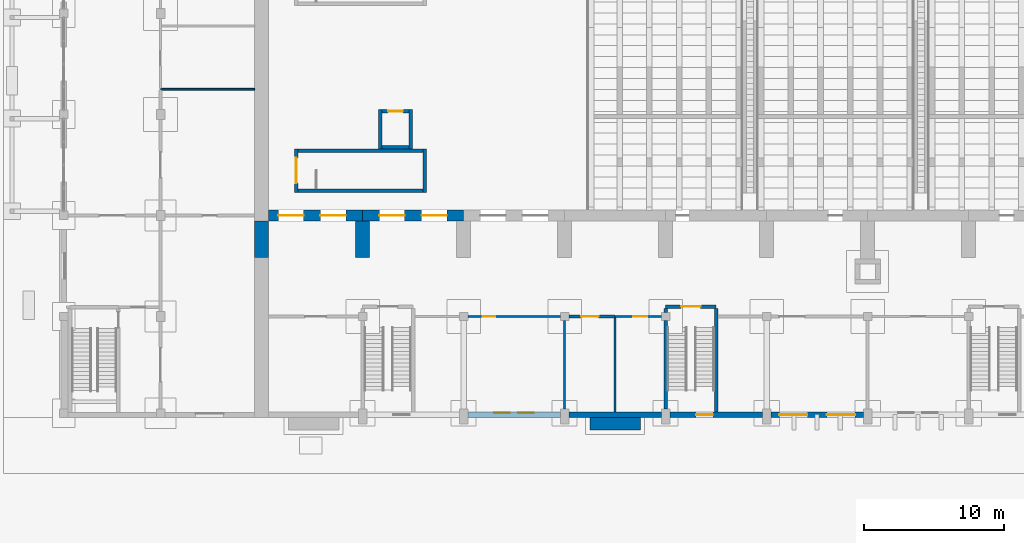
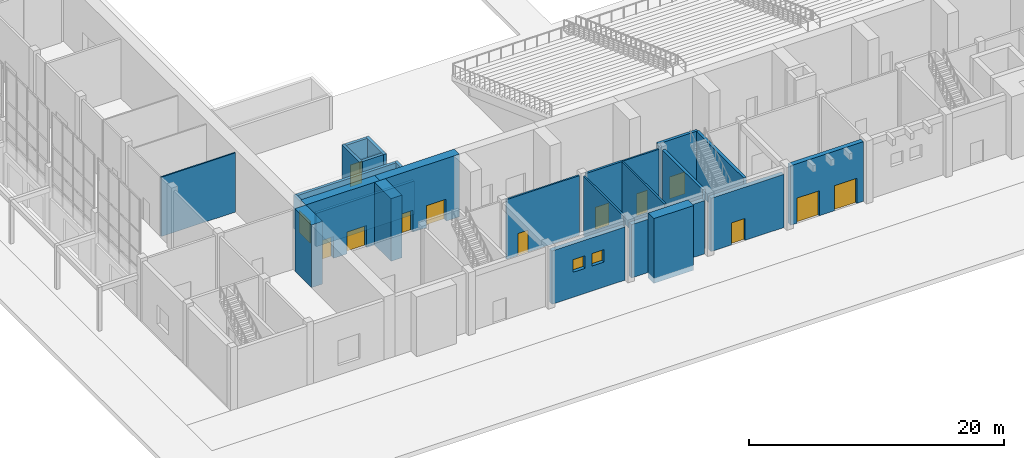
# One storey, part 39 of 70: 27 walls, 13 doors, 2 windows, 15 openings.
"""IFC4 building model written with IfcOpenShell, lengths in metres."""

import ifcopenshell
import ifcopenshell.guid

model = None  # the IFC model being written
_history = None  # IfcOwnerHistory: only IFC2X3 demands one
_inside = {}  # id of a spatial element -> (the spatial element, [elements in it])
_under = {}  # id of a project, library or spatial element -> (it, [spatial elements below it])
_declared = {}  # id of a project -> (the project, [libraries it declares])
_typed = {}  # id of a type object -> (the type object, [elements of that type])
_made_of = {}  # id of a material, layer set ... -> (it, [elements and type objects made of it])


def new_model(schema):
    """Start an empty IFC model of exactly this schema.

    Asked for "IFC4X3", IfcOpenShell would pick the latest addendum, in which some entities
    have other attributes; the version numbers below select the first issue.
    IFC2X3 requires an IfcOwnerHistory on every rooted entity: one is made here for all.
    """
    global model, _history
    if schema == "IFC4X3":
        model = ifcopenshell.file(schema_version=(4, 3, 0, 0))
    else:
        model = ifcopenshell.file(schema=schema)
    _inside.clear()
    _under.clear()
    _declared.clear()
    _typed.clear()
    _made_of.clear()
    _history = None
    if model.schema == "IFC2X3":
        org = make("IfcOrganization", Name="unknown")
        user = make(
            "IfcPersonAndOrganization",
            ThePerson=make("IfcPerson", FamilyName="unknown"),
            TheOrganization=org,
        )
        app = make(
            "IfcApplication",
            ApplicationDeveloper=org,
            Version="unknown",
            ApplicationFullName="unknown",
            ApplicationIdentifier="unknown",
        )
        _history = make(
            "IfcOwnerHistory",
            OwningUser=user,
            OwningApplication=app,
            ChangeAction="ADDED",
            CreationDate=0,
        )
    return model


def make(cls, **values):
    """One entity of the class cls with the attributes given. An attribute that is None is left unset."""
    return model.create_entity(
        cls, **{name: value for name, value in values.items() if value is not None}
    )


def rooted(cls, **values):
    """An entity with a GlobalId (a new one), such as an element, a storey or a relation."""
    return make(cls, GlobalId=ifcopenshell.guid.new(), OwnerHistory=_history, **values)


def si_unit(unit_type, name, prefix=None):
    """IfcSIUnit, for example si_unit("LENGTHUNIT", "METRE", prefix="MILLI")."""
    return make("IfcSIUnit", UnitType=unit_type, Prefix=prefix, Name=name)


def assignment(units):
    """IfcUnitAssignment: the units of a project."""
    return None if units is None else make("IfcUnitAssignment", Units=units)


def point(xyz):
    """IfcCartesianPoint."""
    return None if xyz is None else make("IfcCartesianPoint", Coordinates=xyz)


def direction(xyz):
    """IfcDirection."""
    return None if xyz is None else make("IfcDirection", DirectionRatios=xyz)


def frame(location, z_axis=None, x_axis=None):
    """IfcAxis2Placement3D, a coordinate frame: its origin and axes. An axis left out is left unset."""
    return make(
        "IfcAxis2Placement3D",
        Location=point(location),
        Axis=direction(z_axis),
        RefDirection=direction(x_axis),
    )


def frame_2d(location, x_axis=None):
    """IfcAxis2Placement2D, a coordinate frame in the plane: its origin and x axis."""
    return make(
        "IfcAxis2Placement2D", Location=point(location), RefDirection=direction(x_axis)
    )


def origin():
    """The frame at (0, 0, 0) with its axes left unset."""
    return frame((0.0, 0.0, 0.0))


def place(relative_to, where):
    """IfcLocalPlacement: puts the frame where relative to a parent placement (None: the world)."""
    return make(
        "IfcLocalPlacement", PlacementRelTo=relative_to, RelativePlacement=where
    )


def context(
    kind, dimensions, precision=None, world=None, true_north=None, identifier=None
):
    """IfcGeometricRepresentationContext, for example the 3D "Model" context."""
    return make(
        "IfcGeometricRepresentationContext",
        ContextIdentifier=identifier,
        ContextType=kind,
        CoordinateSpaceDimension=dimensions,
        Precision=precision,
        WorldCoordinateSystem=world,
        TrueNorth=true_north,
    )


def subcontext(parent, identifier, kind, view, scale=None):
    """IfcGeometricRepresentationSubContext, for example "Body" below "Model"."""
    return make(
        "IfcGeometricRepresentationSubContext",
        ContextIdentifier=identifier,
        ContextType=kind,
        ParentContext=parent,
        TargetScale=scale,
        TargetView=view,
    )


def project(units=None, contexts=None):
    """IfcProject with its units and contexts."""
    return rooted(
        "IfcProject",
        Name="project",
        RepresentationContexts=contexts,
        UnitsInContext=assignment(units),
    )


def spatial(cls, under=None, at=None, **own):
    """A site, building, storey or space (cls), placed at a placement, below another one or the project."""
    s = rooted(cls, ObjectPlacement=at, **own)
    if under is not None:
        _under.setdefault(under.id(), (under, []))[1].append(s)
    return s


def profile(cls, at=None, kind="AREA", **sizes):
    """A parametric profile (cls). Its sizes go by their IFC names, for example OverallWidth=200.0."""
    return make(cls, ProfileType=kind, Position=at, **sizes)


def rectangle(**sizes):
    """IfcRectangleProfileDef."""
    return profile("IfcRectangleProfileDef", **sizes)


def extrude(swept, where, along, depth):
    """IfcExtrudedAreaSolid: the profile swept, set in the frame where, extruded along a direction by depth."""
    return make(
        "IfcExtrudedAreaSolid",
        SweptArea=swept,
        Position=where,
        ExtrudedDirection=direction(along),
        Depth=depth,
    )


def shape(context_of_items, identifier, shape_type, items):
    """IfcShapeRepresentation: the items that make up one representation, for example the "Body"."""
    return make(
        "IfcShapeRepresentation",
        ContextOfItems=context_of_items,
        RepresentationIdentifier=identifier,
        RepresentationType=shape_type,
        Items=items,
    )


def material(Name=None, Category=None):
    """IfcMaterial."""
    return make("IfcMaterial", Name=Name, Category=Category)


def layer(
    of_material, thickness, ventilated=None, Name=None, Category=None, Priority=None
):
    """IfcMaterialLayer: one layer of a wall or slab, of a material (None: an air gap)."""
    return make(
        "IfcMaterialLayer",
        Material=of_material,
        LayerThickness=thickness,
        IsVentilated=ventilated,
        Name=Name,
        Category=Category,
        Priority=Priority,
    )


def layer_set(layers, Name=None):
    """IfcMaterialLayerSet."""
    return make("IfcMaterialLayerSet", MaterialLayers=layers, LayerSetName=Name)


def made_of(thing, what):
    """Note that an element or type object is made of a material, layer set ...; save() writes the relation."""
    if what is not None:
        _made_of.setdefault(what.id(), (what, []))[1].append(thing)
    return thing


def type_object(cls, material=None, **own):
    """A type object (cls), such as IfcWallType, which elements share."""
    return made_of(rooted(cls, **own), material)


def element(
    cls,
    number,
    at=None,
    inside=None,
    cuts=None,
    type_object=None,
    material=None,
    context=None,
    identifier="Body",
    shape_type=None,
    held_by="IfcProductDefinitionShape",
    body=None,
    shapes=None,
    **own,
):
    """One element of the class cls, such as IfcWall. Its Tag is "e" and its number.

    at: its placement. inside: the storey or other place that contains it. cuts: it is an
    opening in that element (IfcRelVoidsElement). A single representation is given by context,
    identifier, shape_type and body (its items); several are given by shapes. held_by: the class
    of the entity that holds the representations. save() writes the other relations.
    """
    e = rooted(cls, Tag="e%d" % number, ObjectPlacement=at, **own)
    if body is not None:
        shapes = [shape(context, identifier, shape_type, body)]
    if shapes is not None:
        e.Representation = make(held_by, Representations=shapes)
    if inside is not None:
        _inside.setdefault(inside.id(), (inside, []))[1].append(e)
    if cuts is not None:
        rooted(
            "IfcRelVoidsElement", RelatingBuildingElement=cuts, RelatedOpeningElement=e
        )
    if type_object is not None:
        _typed.setdefault(type_object.id(), (type_object, []))[1].append(e)
    return made_of(e, material)


def fill(opening, filler):
    """IfcRelFillsElement: the door or window that sits in an opening."""
    return rooted(
        "IfcRelFillsElement",
        RelatingOpeningElement=opening,
        RelatedBuildingElement=filler,
    )


def aggregate(whole, parts):
    """IfcRelAggregates: a whole, such as a stair, and the parts it consists of."""
    return rooted("IfcRelAggregates", RelatingObject=whole, RelatedObjects=parts)


def save(model, path):
    """Write the relations noted so far, then the file.

    IfcRelAggregates (storeys below a building ...), IfcRelContainedInSpatialStructure (elements
    in a storey), IfcRelDefinesByType, IfcRelAssociatesMaterial and IfcRelDeclares: one each for
    every whole, place, type object, material and project.
    """
    for whole, parts in _under.values():
        aggregate(whole, parts)
    for where, things in _inside.values():
        rooted(
            "IfcRelContainedInSpatialStructure",
            RelatedElements=things,
            RelatingStructure=where,
        )
    for kind, things in _typed.values():
        rooted("IfcRelDefinesByType", RelatedObjects=things, RelatingType=kind)
    for what, things in _made_of.values():
        rooted("IfcRelAssociatesMaterial", RelatedObjects=things, RelatingMaterial=what)
    for by, libraries in _declared.values():
        rooted("IfcRelDeclares", RelatingContext=by, RelatedDefinitions=libraries)
    model.write(path)


model = new_model("IFC4")

# Units and contexts
model_context = context("Model", 3, precision=1e-05, world=origin(), true_north=direction((0.0, 1.0)))
body_context = subcontext(model_context, "Body", "Model", "MODEL_VIEW")
ifc_project = project(units=[si_unit("LENGTHUNIT", "METRE"), si_unit("AREAUNIT", "SQUARE_METRE"), si_unit("VOLUMEUNIT", "CUBIC_METRE"), si_unit("PLANEANGLEUNIT", "RADIAN"), si_unit("MASSUNIT", "GRAM", prefix="KILO")], contexts=[model_context])

# Site, building, storey
site_placement = place(None, origin())
site = spatial("IfcSite", under=ifc_project, at=site_placement, CompositionType="ELEMENT")
building_placement = place(site_placement, origin())
building = spatial("IfcBuilding", under=site, at=building_placement, Name="Vermilion Court Aquatics Centre", CompositionType="ELEMENT")
storey_placement = place(building_placement, origin())
storey = spatial("IfcBuildingStorey", under=building, at=storey_placement, Name="L00", CompositionType="ELEMENT", Elevation=0.0)

# Walls
ifc_material_1 = material(Name="Gypsum board", Category="gypsum")
ifc_layer_1 = layer(ifc_material_1, 0.1201171875)
ifc_layer_set_1 = layer_set([ifc_layer_1], Name="Foyer light partition 120")
wall_type_1 = type_object("IfcWallType", Name="Foyer light partition 120", PredefinedType="PARTITIONING", material=ifc_layer_set_1)
wall_1_placement = place(storey_placement, frame((7.199951171875, 23.39990234375, 0.0), z_axis=(0.0, 0.0, 1.0), x_axis=(1.0, 0.0, 0.0)))
element("IfcWall", 1, at=wall_1_placement, inside=storey, type_object=wall_type_1, Name="Wall", PredefinedType="PARTITIONING", context=body_context, shape_type="SweptSolid", body=[
    extrude(rectangle(XDim=6.699951171875, YDim=0.1201171875, at=frame_2d((3.35009765625, 0.0))), origin(), (0.0, 0.0, 1.0), 5.675048828125),
])
ifc_material_2 = material(Name="Concrete 5000 psi", Category="concrete")
ifc_layer_2 = layer(ifc_material_2, 0.25)
ifc_layer_set_2 = layer_set([ifc_layer_2], Name="Hall lift shaft wall 250")
wall_type_2 = type_object("IfcWallType", Name="Hall lift shaft wall 250", PredefinedType="SOLIDWALL", material=ifc_layer_set_2)
for number, where, z_axis, x_axis, name in (
    (2, (22.875, 19.14990234375, 0.0), (0.0, 0.0, 1.0), (0.0, 1.0, 0.0), "Plant lift shaft wall"),
    (3, (25.02490234375, 19.14990234375, 0.0), (0.0, 0.0, 1.0), (0.0, 1.0, 0.0), "Plant lift shaft wall"),
):
    element("IfcWall", number, at=place(storey_placement, frame(where, z_axis=z_axis, x_axis=x_axis)), inside=storey, type_object=wall_type_2, Name=name, PredefinedType="SOLIDWALL", context=body_context, shape_type="SweptSolid", body=[
        extrude(rectangle(XDim=2.800048828125, YDim=0.25, at=frame_2d((1.39990234375, 0.0))), origin(), (0.0, 0.0, 1.0), 4.199951171875),
    ])
wall_2_placement = place(storey_placement, frame((23.0, 19.27490234375, 0.0), z_axis=(0.0, 0.0, 1.0), x_axis=(1.0, 0.0, 0.0)))
element("IfcWall", 4, at=wall_2_placement, inside=storey, type_object=wall_type_2, Name="Plant lift shaft wall", PredefinedType="SOLIDWALL", context=body_context, shape_type="SweptSolid", body=[
    extrude(rectangle(XDim=1.89990234375, YDim=0.25, at=frame_2d((0.949951171875, 0.0))), origin(), (0.0, 0.0, 1.0), 4.199951171875),
])

# Wall, opening, door
wall_3_placement = place(storey_placement, frame((23.0, 21.824951171875, 0.0), z_axis=(0.0, 0.0, 1.0), x_axis=(1.0, 0.0, 0.0)))
wall_3 = element("IfcWall", 5, at=wall_3_placement, inside=storey, type_object=wall_type_2, Name="Plant lift shaft wall", PredefinedType="SOLIDWALL", context=body_context, shape_type="SweptSolid", body=[
    extrude(rectangle(XDim=1.89990234375, YDim=0.25, at=frame_2d((0.949951171875, 0.0))), origin(), (0.0, 0.0, 1.0), 4.199951171875),
])
opening_1_placement = place(wall_3_placement, frame((0.425048828125, 0.0, 0.0)))
opening_1 = element("IfcOpeningElement", 6, at=opening_1_placement, cuts=wall_3, Name="Opening LDPL1-00", PredefinedType="OPENING", context=body_context, shape_type="SweptSolid", body=[
    extrude(rectangle(XDim=1.050048828125, YDim=2.10009765625, at=frame_2d((0.52490234375, 1.050048828125))), frame((0.0, 0.135009765625, 0.0), z_axis=(0.0, -1.0, 0.0), x_axis=(1.0, 0.0, 0.0)), (0.0, 0.0, 1.0), 0.27001953125),
])
ifc_material_3 = material(Name="Hollow metal")
door_type_1 = type_object("IfcDoorType", Name="Hall lift landing door 1050x2100", OperationType="DOUBLE_DOOR_SLIDING", PredefinedType="DOOR", material=ifc_material_3)
door_1_placement = place(opening_1_placement, origin())
door_1 = element("IfcDoor", 7, at=door_1_placement, inside=storey, type_object=door_type_1, Name="Lift landing door PL1 L00", OperationType="DOUBLE_DOOR_SLIDING", OverallHeight=2.10009765625, OverallWidth=1.050048828125, PredefinedType="DOOR", context=body_context, shape_type="SweptSolid", body=[
    extrude(rectangle(XDim=1.050048828125, YDim=2.10009765625, at=frame_2d((0.52490234375, 1.050048828125))), frame((0.0, 0.02490234375, 0.0), z_axis=(0.0, -1.0, 0.0), x_axis=(1.0, 0.0, 0.0)), (0.0, 0.0, 1.0), 0.050048828125),
])
fill(opening_1, door_1)

ifc_material_4 = material(Name="Concrete 5000 psi", Category="concrete")
ifc_layer_3 = layer(ifc_material_4, 0.25)
ifc_layer_set_3 = layer_set([ifc_layer_3], Name="Hall stair enclosure wall 250")
wall_type_3 = type_object("IfcWallType", Name="Hall stair enclosure wall 250", PredefinedType="SOLIDWALL", material=ifc_layer_set_3)
wall_4_placement = place(storey_placement, frame((16.875, 16.050048828125, 0.0), z_axis=(0.0, 0.0, 1.0), x_axis=(0.0, 1.0, 0.0)))
wall_4 = element("IfcWall", 8, at=wall_4_placement, inside=storey, type_object=wall_type_3, Name="Stair lobby 1 wall", PredefinedType="SOLIDWALL", context=body_context, shape_type="SweptSolid", body=[
    extrude(rectangle(XDim=3.099853515625, YDim=0.25, at=frame_2d((1.5498046875, 0.0))), origin(), (0.0, 0.0, 1.0), 3.199951171875),
])
opening_2_placement = place(wall_4_placement, frame((0.64990234375, 0.0, 0.0)))
opening_2 = element("IfcOpeningElement", 9, at=opening_2_placement, cuts=wall_4, Name="Opening H00-004", PredefinedType="OPENING", context=body_context, shape_type="SweptSolid", body=[
    extrude(rectangle(XDim=1.800048828125, YDim=2.10009765625, at=frame_2d((0.89990234375, 1.050048828125))), frame((0.0, 0.135009765625, 0.0), z_axis=(0.0, -1.0, 0.0), x_axis=(1.0, 0.0, 0.0)), (0.0, 0.0, 1.0), 0.27001953125),
])
ifc_material_5 = material(Name="Hollow metal")
door_type_2 = type_object("IfcDoorType", Name="Hall double door 1800x2100", OperationType="DOUBLE_DOOR_SINGLE_SWING", PredefinedType="DOOR", material=ifc_material_5)
door_2_placement = place(opening_2_placement, frame((1.800048828125, 0.0, 0.0), z_axis=(0.0, 0.0, 1.0), x_axis=(-1.0, 0.0, 0.0)))
door_2 = element("IfcDoor", 10, at=door_2_placement, inside=storey, type_object=door_type_2, Name="Door from stair lobby 1 to the deck", OperationType="DOUBLE_DOOR_SINGLE_SWING", OverallHeight=2.10009765625, OverallWidth=1.800048828125, PredefinedType="DOOR", context=body_context, shape_type="SweptSolid", body=[
    extrude(rectangle(XDim=1.800048828125, YDim=2.10009765625, at=frame_2d((0.900146484375, 1.050048828125))), frame((0.0, 0.025146484375, 0.0), z_axis=(0.0, -1.0, 0.0), x_axis=(1.0, 0.0, 0.0)), (0.0, 0.0, 1.0), 0.050048828125),
])
fill(opening_2, door_2)

# Walls
wall_5_placement = place(storey_placement, frame((26.02490234375, 16.050048828125, 0.0), z_axis=(0.0, 0.0, 1.0), x_axis=(0.0, 1.0, 0.0)))
element("IfcWall", 11, at=wall_5_placement, inside=storey, type_object=wall_type_3, Name="Stair lobby 1 wall", PredefinedType="SOLIDWALL", context=body_context, shape_type="SweptSolid", body=[
    extrude(rectangle(XDim=3.099853515625, YDim=0.25, at=frame_2d((1.5498046875, 0.0))), origin(), (0.0, 0.0, 1.0), 3.199951171875),
])
for number, where, z_axis, x_axis, name in (
    (12, (17.0, 16.175048828125, 0.0), (0.0, 0.0, 1.0), (1.0, 0.0, 0.0), "Stair lobby 1 wall"),
    (13, (17.0, 19.02490234375, 0.0), (0.0, 0.0, 1.0), (1.0, 0.0, 0.0), "Stair lobby 1 wall"),
):
    element("IfcWall", number, at=place(storey_placement, frame(where, z_axis=z_axis, x_axis=x_axis)), inside=storey, type_object=wall_type_3, Name=name, PredefinedType="SOLIDWALL", context=body_context, shape_type="SweptSolid", body=[
        extrude(rectangle(XDim=8.89990234375, YDim=0.25, at=frame_2d((4.449951171875, 0.0))), origin(), (0.0, 0.0, 1.0), 3.199951171875),
    ])
ifc_material_6 = material(Name="Concrete 5000 psi", Category="concrete")
ifc_layer_4 = layer(ifc_material_6, 1.0)
ifc_layer_set_4 = layer_set([ifc_layer_4], Name="Roof buttress pier")
wall_type_4 = type_object("IfcWallType", Name="Roof buttress pier", PredefinedType="SOLIDWALL", material=ifc_layer_set_4)
for number, where, z_axis, x_axis, name in (
    (14, (14.39990234375, 11.39990234375, 0.0), (0.0, 0.0, 1.0), (0.0, 1.0, 0.0), "Buttress pier BPS01"),
    (15, (21.60009765625, 11.39990234375, 0.0), (0.0, 0.0, 1.0), (0.0, 1.0, 0.0), "Buttress pier BPS02"),
):
    element("IfcWall", number, at=place(storey_placement, frame(where, z_axis=z_axis, x_axis=x_axis)), inside=storey, type_object=wall_type_4, Name=name, PredefinedType="SOLIDWALL", context=body_context, shape_type="SweptSolid", body=[
        extrude(rectangle(XDim=2.60009765625, YDim=1.0, at=frame_2d((1.300048828125, 0.0))), origin(), (0.0, 0.0, 1.0), 6.0),
    ])
ifc_material_7 = material(Name="Brick masonry", Category="masonry")
ifc_layer_5 = layer(ifc_material_7, 0.89990234375)
ifc_layer_set_5 = layer_set([ifc_layer_5], Name="South bay base wall 900")
wall_type_5 = type_object("IfcWallType", Name="South bay base wall 900", PredefinedType="SOLIDWALL", material=ifc_layer_set_5)
wall_6_placement = place(storey_placement, frame((37.800048828125, -0.449951171875, -0.5), z_axis=(0.0, 0.0, 1.0), x_axis=(1.0, 0.0, 0.0)))
element("IfcWall", 16, at=wall_6_placement, inside=storey, type_object=wall_type_5, Name="South bay base wall", PredefinedType="SOLIDWALL", context=body_context, shape_type="SweptSolid", body=[
    extrude(rectangle(XDim=3.599853515625, YDim=0.89990234375, at=frame_2d((1.7998046875, 0.0))), origin(), (0.0, 0.0, 1.0), 6.199951171875),
])

# Wall, openings, windows
ifc_material_8 = material(Name="Brick masonry", Category="masonry")
ifc_layer_6 = layer(ifc_material_8, 0.39990234375)
ifc_layer_set_6 = layer_set([ifc_layer_6], Name="South brick facade wall 400")
wall_type_6 = type_object("IfcWallType", Name="South brick facade wall 400", PredefinedType="SOLIDWALL", material=ifc_layer_set_6)
wall_7_placement = place(storey_placement, frame((29.10009765625, 0.199951171875, 0.0), z_axis=(0.0, 0.0, 1.0), x_axis=(1.0, 0.0, 0.0)))
wall_7 = element("IfcWall", 17, at=wall_7_placement, inside=storey, type_object=wall_type_6, Name="Brick facade wall", PredefinedType="SOLIDWALL", context=body_context, shape_type="SweptSolid", body=[
    extrude(rectangle(XDim=6.599853515625, YDim=0.39990234375, at=frame_2d((3.2998046875, 0.0))), origin(), (0.0, 0.0, 1.0), 5.10009765625),
])
opening_3_placement = place(wall_7_placement, frame((1.89990234375, 0.0, 2.39990234375)))
opening_3 = element("IfcOpeningElement", 18, at=opening_3_placement, cuts=wall_7, Name="Opening SWN3", PredefinedType="OPENING", context=body_context, shape_type="SweptSolid", body=[
    extrude(rectangle(XDim=1.10009765625, YDim=1.199951171875, at=frame_2d((0.550048828125, 0.60009765625))), frame((0.0, 0.2099609375, 0.0), z_axis=(0.0, -1.0, 0.0), x_axis=(1.0, 0.0, 0.0)), (0.0, 0.0, 1.0), 0.419921875),
])
opening_4_placement = place(wall_7_placement, frame((3.60009765625, 0.0, 2.39990234375)))
opening_4 = element("IfcOpeningElement", 19, at=opening_4_placement, cuts=wall_7, Name="Opening SWN3", PredefinedType="OPENING", context=body_context, shape_type="SweptSolid", body=[
    extrude(rectangle(XDim=1.10009765625, YDim=1.199951171875, at=frame_2d((0.550048828125, 0.60009765625))), frame((0.0, 0.2099609375, 0.0), z_axis=(0.0, -1.0, 0.0), x_axis=(1.0, 0.0, 0.0)), (0.0, 0.0, 1.0), 0.419921875),
])
ifc_material_9 = material(Name="Aluminium 6063-T5", Category="aluminium")
window_type = type_object("IfcWindowType", Name="South window 1100x1200 obscured glass", PartitioningType="DOUBLE_PANEL_VERTICAL", PredefinedType="WINDOW", material=ifc_material_9)
window_1_placement = place(opening_3_placement, origin())
window_1 = element("IfcWindow", 20, at=window_1_placement, inside=storey, type_object=window_type, Name="Facade window", OverallHeight=1.199951171875, OverallWidth=1.10009765625, PartitioningType="DOUBLE_PANEL_VERTICAL", PredefinedType="WINDOW", context=body_context, shape_type="SweptSolid", body=[
    extrude(rectangle(XDim=1.10009765625, YDim=1.199951171875, at=frame_2d((0.550048828125, 0.60009765625))), frame((0.0, 0.159912109375, 0.0), z_axis=(0.0, -1.0, 0.0), x_axis=(1.0, 0.0, 0.0)), (0.0, 0.0, 1.0), 0.06005859375),
])
fill(opening_3, window_1)
window_2_placement = place(opening_4_placement, origin())
window_2 = element("IfcWindow", 21, at=window_2_placement, inside=storey, type_object=window_type, Name="Facade window", OverallHeight=1.199951171875, OverallWidth=1.10009765625, PartitioningType="DOUBLE_PANEL_VERTICAL", PredefinedType="WINDOW", context=body_context, shape_type="SweptSolid", body=[
    extrude(rectangle(XDim=1.10009765625, YDim=1.199951171875, at=frame_2d((0.550048828125, 0.60009765625))), frame((0.0, 0.159912109375, 0.0), z_axis=(0.0, -1.0, 0.0), x_axis=(1.0, 0.0, 0.0)), (0.0, 0.0, 1.0), 0.06005859375),
])
fill(opening_4, window_2)

# Wall
wall_8_placement = place(storey_placement, frame((36.300048828125, 0.199951171875, 0.0), z_axis=(0.0, 0.0, 1.0), x_axis=(1.0, 0.0, 0.0)))
element("IfcWall", 22, at=wall_8_placement, inside=storey, type_object=wall_type_6, Name="Brick facade wall", PredefinedType="SOLIDWALL", context=body_context, shape_type="SweptSolid", body=[
    extrude(rectangle(XDim=6.599853515625, YDim=0.39990234375, at=frame_2d((3.2998046875, 0.0))), origin(), (0.0, 0.0, 1.0), 5.10009765625),
])

# Wall, opening, door
wall_9_placement = place(storey_placement, frame((43.5, 0.199951171875, 0.0), z_axis=(0.0, 0.0, 1.0), x_axis=(1.0, 0.0, 0.0)))
wall_9 = element("IfcWall", 23, at=wall_9_placement, inside=storey, type_object=wall_type_6, Name="Brick facade wall", PredefinedType="SOLIDWALL", context=body_context, shape_type="SweptSolid", body=[
    extrude(rectangle(XDim=6.60009765625, YDim=0.39990234375, at=frame_2d((3.300048828125, 0.0))), origin(), (0.0, 0.0, 1.0), 5.10009765625),
])
opening_5_placement = place(wall_9_placement, frame((1.875, 0.0, 0.0)))
opening_5 = element("IfcOpeningElement", 24, at=opening_5_placement, cuts=wall_9, Name="Opening S00-008", PredefinedType="OPENING", context=body_context, shape_type="SweptSolid", body=[
    extrude(rectangle(XDim=1.199951171875, YDim=2.10009765625, at=frame_2d((0.60009765625, 1.050048828125))), frame((0.0, 0.2099609375, 0.0), z_axis=(0.0, -1.0, 0.0), x_axis=(1.0, 0.0, 0.0)), (0.0, 0.0, 1.0), 0.419921875),
])
ifc_material_10 = material(Name="Hollow metal", Category="metal")
door_type_3 = type_object("IfcDoorType", Name="South stair discharge door 1200", OperationType="SINGLE_SWING_LEFT", PredefinedType="DOOR", material=ifc_material_10)
door_3_placement = place(opening_5_placement, frame((1.199951171875, 0.0, 0.0), z_axis=(0.0, 0.0, 1.0), x_axis=(-1.0, 0.0, 0.0)))
door_3 = element("IfcDoor", 25, at=door_3_placement, inside=storey, type_object=door_type_3, Name="Exit stair S2 street door", OperationType="SINGLE_SWING_LEFT", OverallHeight=2.10009765625, OverallWidth=1.199951171875, PredefinedType="DOOR", context=body_context, shape_type="SweptSolid", body=[
    extrude(rectangle(XDim=1.199951171875, YDim=2.10009765625, at=frame_2d((0.599853515625, 1.050048828125))), frame((0.0, 0.025146484375, 0.0), z_axis=(0.0, -1.0, 0.0), x_axis=(1.0, 0.0, 0.0)), (0.0, 0.0, 1.0), 0.050048828125),
])
fill(opening_5, door_3)

# Wall, openings, doors
ifc_material_11 = material(Name="Brick masonry", Category="masonry")
ifc_layer_7 = layer(ifc_material_11, 0.39990234375)
ifc_layer_set_7 = layer_set([ifc_layer_7], Name="South oriel base wall 400")
wall_type_7 = type_object("IfcWallType", Name="South oriel base wall 400", PredefinedType="SOLIDWALL", material=ifc_layer_set_7)
wall_10_placement = place(storey_placement, frame((50.699951171875, 0.199951171875, 0.0), z_axis=(0.0, 0.0, 1.0), x_axis=(1.0, 0.0, 0.0)))
wall_10 = element("IfcWall", 26, at=wall_10_placement, inside=storey, type_object=wall_type_7, Name="Brick facade wall", PredefinedType="SOLIDWALL", context=body_context, shape_type="SweptSolid", body=[
    extrude(rectangle(XDim=6.60009765625, YDim=0.39990234375, at=frame_2d((3.300048828125, 0.0))), origin(), (0.0, 0.0, 1.0), 5.699951171875),
])
opening_6_placement = place(wall_10_placement, frame((0.60009765625, 0.0, 0.0)))
opening_6 = element("IfcOpeningElement", 27, at=opening_6_placement, cuts=wall_10, Name="Opening S00-001", PredefinedType="OPENING", context=body_context, shape_type="SweptSolid", body=[
    extrude(rectangle(XDim=2.0, YDim=2.39990234375, at=frame_2d((1.0, 1.199951171875))), frame((0.0, 0.2099609375, 0.0), z_axis=(0.0, -1.0, 0.0), x_axis=(1.0, 0.0, 0.0)), (0.0, 0.0, 1.0), 0.419921875),
])
opening_7_placement = place(wall_10_placement, frame((4.0, 0.0, 0.0)))
opening_7 = element("IfcOpeningElement", 28, at=opening_7_placement, cuts=wall_10, Name="Opening S00-002", PredefinedType="OPENING", context=body_context, shape_type="SweptSolid", body=[
    extrude(rectangle(XDim=2.0, YDim=2.39990234375, at=frame_2d((1.0, 1.199951171875))), frame((0.0, 0.2099609375, 0.0), z_axis=(0.0, -1.0, 0.0), x_axis=(1.0, 0.0, 0.0)), (0.0, 0.0, 1.0), 0.419921875),
])
ifc_material_12 = material(Name="Hollow metal", Category="metal")
door_type_4 = type_object("IfcDoorType", Name="South street exit door 2000x2400", OperationType="DOUBLE_DOOR_SINGLE_SWING", PredefinedType="DOOR", material=ifc_material_12)
door_4_placement = place(opening_6_placement, frame((2.0, 0.0, 0.0), z_axis=(0.0, 0.0, 1.0), x_axis=(-1.0, 0.0, 0.0)))
door_4 = element("IfcDoor", 29, at=door_4_placement, inside=storey, type_object=door_type_4, Name="South street exit door", OperationType="DOUBLE_DOOR_SINGLE_SWING", OverallHeight=2.39990234375, OverallWidth=2.0, PredefinedType="DOOR", context=body_context, shape_type="SweptSolid", body=[
    extrude(rectangle(XDim=2.0, YDim=2.39990234375, at=frame_2d((1.0, 1.199951171875))), frame((0.0, 0.025146484375, 0.0), z_axis=(0.0, -1.0, 0.0), x_axis=(1.0, 0.0, 0.0)), (0.0, 0.0, 1.0), 0.050048828125),
])
fill(opening_6, door_4)
door_5_placement = place(opening_7_placement, frame((2.0, 0.0, 0.0), z_axis=(0.0, 0.0, 1.0), x_axis=(-1.0, 0.0, 0.0)))
door_5 = element("IfcDoor", 30, at=door_5_placement, inside=storey, type_object=door_type_4, Name="South street exit door", OperationType="DOUBLE_DOOR_SINGLE_SWING", OverallHeight=2.39990234375, OverallWidth=2.0, PredefinedType="DOOR", context=body_context, shape_type="SweptSolid", body=[
    extrude(rectangle(XDim=2.0, YDim=2.39990234375, at=frame_2d((1.0, 1.199951171875))), frame((0.0, 0.025146484375, 0.0), z_axis=(0.0, -1.0, 0.0), x_axis=(1.0, 0.0, 0.0)), (0.0, 0.0, 1.0), 0.050048828125),
])
fill(opening_7, door_5)

# Wall, opening, door
ifc_material_13 = material(Name="Concrete masonry ASTM C90 Type I", Category="masonry")
ifc_layer_8 = layer(ifc_material_13, 0.199951171875)
ifc_layer_set_8 = layer_set([ifc_layer_8], Name="South partition wall 200")
wall_type_8 = type_object("IfcWallType", Name="South partition wall 200", PredefinedType="PARTITIONING", material=ifc_layer_set_8)
wall_11_placement = place(storey_placement, frame((36.300048828125, 7.199951171875, 0.0), z_axis=(0.0, 0.0, 1.0), x_axis=(1.0, 0.0, 0.0)))
wall_11 = element("IfcWall", 31, at=wall_11_placement, inside=storey, type_object=wall_type_8, Name="Partition wall", PredefinedType="PARTITIONING", context=body_context, shape_type="SweptSolid", body=[
    extrude(rectangle(XDim=3.300048828125, YDim=0.199951171875, at=frame_2d((1.64990234375, 0.0))), origin(), (0.0, 0.0, 1.0), 5.699951171875),
])
opening_8_placement = place(wall_11_placement, frame((0.875, 0.0, 0.0)))
opening_8 = element("IfcOpeningElement", 32, at=opening_8_placement, cuts=wall_11, Name="Opening S00-025", PredefinedType="OPENING", context=body_context, shape_type="SweptSolid", body=[
    extrude(rectangle(XDim=1.25, YDim=2.10009765625, at=frame_2d((0.625, 1.050048828125))), frame((0.0, 0.10986328125, 0.0), z_axis=(0.0, -1.0, 0.0), x_axis=(1.0, 0.0, 0.0)), (0.0, 0.0, 1.0), 0.219970703125),
])
ifc_material_14 = material(Name="Timber door leaf", Category="wood")
door_type_5 = type_object("IfcDoorType", Name="South accessible changing door 1250", OperationType="SINGLE_SWING_RIGHT", PredefinedType="DOOR", material=ifc_material_14)
door_6_placement = place(opening_8_placement, frame((1.25, 0.0, 0.0), z_axis=(0.0, 0.0, 1.0), x_axis=(-1.0, 0.0, 0.0)))
door_6 = element("IfcDoor", 33, at=door_6_placement, inside=storey, type_object=door_type_5, Name="Accessible Changing door", OperationType="SINGLE_SWING_RIGHT", OverallHeight=2.10009765625, OverallWidth=1.25, PredefinedType="DOOR", context=body_context, shape_type="SweptSolid", body=[
    extrude(rectangle(XDim=1.25, YDim=2.10009765625, at=frame_2d((0.625, 1.050048828125))), frame((0.0, 0.025146484375, 0.0), z_axis=(0.0, -1.0, 0.0), x_axis=(1.0, 0.0, 0.0)), (0.0, 0.0, 1.0), 0.050048828125),
])
fill(opening_8, door_6)

# Walls
ifc_material_15 = material(Name="Concrete 5000 psi", Category="concrete")
ifc_layer_9 = layer(ifc_material_15, 0.25)
ifc_layer_set_9 = layer_set([ifc_layer_9], Name="South stair wall 250")
wall_type_9 = type_object("IfcWallType", Name="South stair wall 250", PredefinedType="SOLIDWALL", material=ifc_layer_set_9)
wall_12_placement = place(storey_placement, frame((43.199951171875, 0.60009765625, 0.0), z_axis=(0.0, 0.0, 1.0), x_axis=(0.0, 1.0, 0.0)))
element("IfcWall", 34, at=wall_12_placement, inside=storey, type_object=wall_type_9, Name="Stair enclosure wall", PredefinedType="SOLIDWALL", context=body_context, shape_type="SweptSolid", body=[
    extrude(rectangle(XDim=6.2998046875, YDim=0.25, at=frame_2d((3.14990234375, 0.0))), origin(), (0.0, 0.0, 1.0), 5.699951171875),
])
wall_13_placement = place(storey_placement, frame((43.199951171875, 7.5, 0.0), z_axis=(0.0, 0.0, 1.0), x_axis=(0.0, 1.0, 0.0)))
element("IfcWall", 35, at=wall_13_placement, inside=storey, type_object=wall_type_9, Name="Stair enclosure wall", PredefinedType="SOLIDWALL", context=body_context, shape_type="SweptSolid", body=[
    extrude(rectangle(XDim=0.27490234375, YDim=0.25, at=frame_2d((0.137451171875, 0.0))), origin(), (0.0, 0.0, 1.0), 5.699951171875),
])
wall_14_placement = place(storey_placement, frame((46.800048828125, 0.39990234375, 0.0), z_axis=(0.0, 0.0, 1.0), x_axis=(0.0, 1.0, 0.0)))
element("IfcWall", 36, at=wall_14_placement, inside=storey, type_object=wall_type_9, Name="Stair enclosure wall", PredefinedType="SOLIDWALL", context=body_context, shape_type="SweptSolid", body=[
    extrude(rectangle(XDim=7.375, YDim=0.25, at=frame_2d((3.6875, 0.0))), origin(), (0.0, 0.0, 1.0), 5.699951171875),
])

# Wall, opening, door
wall_15_placement = place(storey_placement, frame((43.199951171875, 7.89990234375, 0.0), z_axis=(0.0, 0.0, 1.0), x_axis=(1.0, 0.0, 0.0)))
wall_15 = element("IfcWall", 37, at=wall_15_placement, inside=storey, type_object=wall_type_9, Name="Stair enclosure wall", PredefinedType="SOLIDWALL", context=body_context, shape_type="SweptSolid", body=[
    extrude(rectangle(XDim=3.60009765625, YDim=0.25, at=frame_2d((1.800048828125, 0.0))), origin(), (0.0, 0.0, 1.0), 5.699951171875),
])
opening_9_placement = place(wall_15_placement, frame((1.10009765625, 0.0, 0.0)))
opening_9 = element("IfcOpeningElement", 38, at=opening_9_placement, cuts=wall_15, Name="Opening S00-016", PredefinedType="OPENING", context=body_context, shape_type="SweptSolid", body=[
    extrude(rectangle(XDim=1.39990234375, YDim=2.10009765625, at=frame_2d((0.699951171875, 1.050048828125))), frame((0.0, 0.135009765625, 0.0), z_axis=(0.0, -1.0, 0.0), x_axis=(1.0, 0.0, 0.0)), (0.0, 0.0, 1.0), 0.27001953125),
])
ifc_material_16 = material(Name="Hollow metal", Category="metal")
door_type_6 = type_object("IfcDoorType", Name="South stair door 1400", OperationType="DOUBLE_DOOR_SINGLE_SWING", PredefinedType="DOOR", material=ifc_material_16)
door_7_placement = place(opening_9_placement, origin())
door_7 = element("IfcDoor", 39, at=door_7_placement, inside=storey, type_object=door_type_6, Name="Exit stair S2 door", OperationType="DOUBLE_DOOR_SINGLE_SWING", OverallHeight=2.10009765625, OverallWidth=1.39990234375, PredefinedType="DOOR", context=body_context, shape_type="SweptSolid", body=[
    extrude(rectangle(XDim=1.39990234375, YDim=2.10009765625, at=frame_2d((0.699951171875, 1.050048828125))), frame((0.0, 0.02490234375, 0.0), z_axis=(0.0, -1.0, 0.0), x_axis=(1.0, 0.0, 0.0)), (0.0, 0.0, 1.0), 0.050048828125),
])
fill(opening_9, door_7)

# Walls
ifc_material_17 = material(Name="Concrete masonry ASTM C90 Type I", Category="masonry")
ifc_layer_10 = layer(ifc_material_17, 0.14990234375)
ifc_layer_set_10 = layer_set([ifc_layer_10], Name="South wet room partition 150")
wall_type_10 = type_object("IfcWallType", Name="South wet room partition 150", PredefinedType="PARTITIONING", material=ifc_layer_set_10)
wall_16_placement = place(storey_placement, frame((36.0, 0.60009765625, 0.0), z_axis=(0.0, 0.0, 1.0), x_axis=(0.0, 1.0, 0.0)))
element("IfcWall", 40, at=wall_16_placement, inside=storey, type_object=wall_type_10, Name="Wall", PredefinedType="PARTITIONING", context=body_context, shape_type="SweptSolid", body=[
    extrude(rectangle(XDim=6.2998046875, YDim=0.14990234375, at=frame_2d((3.14990234375, 0.0))), origin(), (0.0, 0.0, 1.0), 5.699951171875),
])
wall_17_placement = place(storey_placement, frame((39.60009765625, 0.39990234375, 0.0), z_axis=(0.0, 0.0, 1.0), x_axis=(0.0, 1.0, 0.0)))
element("IfcWall", 41, at=wall_17_placement, inside=storey, type_object=wall_type_10, Name="Wall", PredefinedType="PARTITIONING", context=body_context, shape_type="SweptSolid", body=[
    extrude(rectangle(XDim=6.72509765625, YDim=0.14990234375, at=frame_2d((3.362548828125, 0.0))), origin(), (0.0, 0.0, 1.0), 5.699951171875),
])

# Wall, opening, door
wall_18_placement = place(storey_placement, frame((29.10009765625, 7.199951171875, 0.0), z_axis=(0.0, 0.0, 1.0), x_axis=(1.0, 0.0, 0.0)))
wall_18 = element("IfcWall", 42, at=wall_18_placement, inside=storey, type_object=wall_type_10, Name="Wall", PredefinedType="PARTITIONING", context=body_context, shape_type="SweptSolid", body=[
    extrude(rectangle(XDim=6.599853515625, YDim=0.14990234375, at=frame_2d((3.2998046875, 0.0))), origin(), (0.0, 0.0, 1.0), 5.699951171875),
])
opening_10_placement = place(wall_18_placement, frame((1.050048828125, 0.0, 0.0)))
opening_10 = element("IfcOpeningElement", 43, at=opening_10_placement, cuts=wall_18, Name="Opening S00-024", PredefinedType="OPENING", context=body_context, shape_type="SweptSolid", body=[
    extrude(rectangle(XDim=0.89990234375, YDim=2.10009765625, at=frame_2d((0.449951171875, 1.050048828125))), frame((0.0, 0.0849609375, 0.0), z_axis=(0.0, -1.0, 0.0), x_axis=(1.0, 0.0, 0.0)), (0.0, 0.0, 1.0), 0.169921875),
])
ifc_material_18 = material(Name="Timber door leaf", Category="wood")
door_type_7 = type_object("IfcDoorType", Name="South wet room door 900", OperationType="NOTDEFINED", PredefinedType="DOOR", material=ifc_material_18)
door_8_placement = place(opening_10_placement, frame((0.89990234375, 0.0, 0.0), z_axis=(0.0, 0.0, 1.0), x_axis=(-1.0, 0.0, 0.0)))
door_8 = element("IfcDoor", 44, at=door_8_placement, inside=storey, type_object=door_type_7, Name="Women's Showers and WC door", OperationType="SINGLE_SWING_RIGHT", OverallHeight=2.10009765625, OverallWidth=0.89990234375, PredefinedType="DOOR", context=body_context, shape_type="SweptSolid", body=[
    extrude(rectangle(XDim=0.89990234375, YDim=2.10009765625, at=frame_2d((0.449951171875, 1.050048828125))), frame((0.0, 0.025146484375, 0.0), z_axis=(0.0, -1.0, 0.0), x_axis=(1.0, 0.0, 0.0)), (0.0, 0.0, 1.0), 0.050048828125),
])
fill(opening_10, door_8)

wall_19_placement = place(storey_placement, frame((39.60009765625, 7.199951171875, 0.0), z_axis=(0.0, 0.0, 1.0), x_axis=(1.0, 0.0, 0.0)))
wall_19 = element("IfcWall", 45, at=wall_19_placement, inside=storey, type_object=wall_type_10, Name="Wall", PredefinedType="PARTITIONING", context=body_context, shape_type="SweptSolid", body=[
    extrude(rectangle(XDim=3.2998046875, YDim=0.14990234375, at=frame_2d((1.64990234375, 0.0))), origin(), (0.0, 0.0, 1.0), 5.699951171875),
])
opening_11_placement = place(wall_19_placement, frame((1.300048828125, 0.0, 0.0)))
opening_11 = element("IfcOpeningElement", 46, at=opening_11_placement, cuts=wall_19, Name="Opening S00-026", PredefinedType="OPENING", context=body_context, shape_type="SweptSolid", body=[
    extrude(rectangle(XDim=1.0, YDim=2.10009765625, at=frame_2d((0.5, 1.050048828125))), frame((0.0, 0.0849609375, 0.0), z_axis=(0.0, -1.0, 0.0), x_axis=(1.0, 0.0, 0.0)), (0.0, 0.0, 1.0), 0.169921875),
])
ifc_material_19 = material(Name="Timber door leaf", Category="wood")
door_type_8 = type_object("IfcDoorType", Name="South range single door 1000", OperationType="NOTDEFINED", PredefinedType="DOOR", material=ifc_material_19)
door_9_placement = place(opening_11_placement, frame((1.0, 0.0, 0.0), z_axis=(0.0, 0.0, 1.0), x_axis=(-1.0, 0.0, 0.0)))
door_9 = element("IfcDoor", 47, at=door_9_placement, inside=storey, type_object=door_type_8, Name="Accessible WC door", OperationType="SINGLE_SWING_RIGHT", OverallHeight=2.10009765625, OverallWidth=1.0, PredefinedType="DOOR", context=body_context, shape_type="SweptSolid", body=[
    extrude(rectangle(XDim=1.0, YDim=2.10009765625, at=frame_2d((0.5, 1.050048828125))), frame((0.0, 0.025146484375, 0.0), z_axis=(0.0, -1.0, 0.0), x_axis=(1.0, 0.0, 0.0)), (0.0, 0.0, 1.0), 0.050048828125),
])
fill(opening_11, door_9)

# Wall, openings, doors
ifc_material_20 = material(Name="Concrete 5000 psi", Category="concrete")
ifc_layer_11 = layer(ifc_material_20, 0.800048828125)
ifc_layer_set_11 = layer_set([ifc_layer_11], Name="Tribune back wall 800")
wall_type_11 = type_object("IfcWallType", Name="Tribune back wall 800", PredefinedType="SOLIDWALL", material=ifc_layer_set_11)
wall_20_placement = place(storey_placement, frame((14.89990234375, 14.39990234375, 0.0), z_axis=(0.0, 0.0, 1.0), x_axis=(1.0, 0.0, 0.0)))
wall_20 = element("IfcWall", 48, at=wall_20_placement, inside=storey, type_object=wall_type_11, Name="South hall wall", PredefinedType="SOLIDWALL", context=body_context, shape_type="SweptSolid", body=[
    extrude(rectangle(XDim=6.7001953125, YDim=0.800048828125, at=frame_2d((3.35009765625, 0.0))), origin(), (0.0, 0.0, 1.0), 6.0),
])
opening_12_placement = place(wall_20_placement, frame((0.699951171875, 0.0, 0.0)))
opening_12 = element("IfcOpeningElement", 49, at=opening_12_placement, cuts=wall_20, Name="Opening T00-001", PredefinedType="OPENING", context=body_context, shape_type="SweptSolid", body=[
    extrude(rectangle(XDim=1.800048828125, YDim=2.10009765625, at=frame_2d((0.89990234375, 1.050048828125))), frame((0.0, 0.409912109375, 0.0), z_axis=(0.0, -1.0, 0.0), x_axis=(1.0, 0.0, 0.0)), (0.0, 0.0, 1.0), 0.820068359375),
])
opening_13_placement = place(wall_20_placement, frame((3.699951171875, 0.0, 0.0)))
opening_13 = element("IfcOpeningElement", 50, at=opening_13_placement, cuts=wall_20, Name="Opening T00-002", PredefinedType="OPENING", context=body_context, shape_type="SweptSolid", body=[
    extrude(rectangle(XDim=1.800048828125, YDim=2.10009765625, at=frame_2d((0.89990234375, 1.050048828125))), frame((0.0, 0.409912109375, 0.0), z_axis=(0.0, -1.0, 0.0), x_axis=(1.0, 0.0, 0.0)), (0.0, 0.0, 1.0), 0.820068359375),
])
ifc_material_21 = material(Name="Hollow metal", Category="metal")
door_type_9 = type_object("IfcDoorType", Name="Tribune double door 1800", OperationType="DOUBLE_DOOR_SINGLE_SWING", PredefinedType="DOOR", material=ifc_material_21)
door_10_placement = place(opening_12_placement, frame((1.800048828125, 0.0, 0.0), z_axis=(0.0, 0.0, 1.0), x_axis=(-1.0, 0.0, 0.0)))
door_10 = element("IfcDoor", 51, at=door_10_placement, inside=storey, type_object=door_type_9, Name="Pool deck door", OperationType="DOUBLE_DOOR_SINGLE_SWING", OverallHeight=2.10009765625, OverallWidth=1.800048828125, PredefinedType="DOOR", context=body_context, shape_type="SweptSolid", body=[
    extrude(rectangle(XDim=1.800048828125, YDim=2.10009765625, at=frame_2d((0.900146484375, 1.050048828125))), frame((0.0, 0.025146484375, 0.0), z_axis=(0.0, -1.0, 0.0), x_axis=(1.0, 0.0, 0.0)), (0.0, 0.0, 1.0), 0.050048828125),
])
fill(opening_12, door_10)
door_11_placement = place(opening_13_placement, frame((1.800048828125, 0.0, 0.0), z_axis=(0.0, 0.0, 1.0), x_axis=(-1.0, 0.0, 0.0)))
door_11 = element("IfcDoor", 52, at=door_11_placement, inside=storey, type_object=door_type_9, Name="Pool deck door", OperationType="DOUBLE_DOOR_SINGLE_SWING", OverallHeight=2.10009765625, OverallWidth=1.800048828125, PredefinedType="DOOR", context=body_context, shape_type="SweptSolid", body=[
    extrude(rectangle(XDim=1.800048828125, YDim=2.10009765625, at=frame_2d((0.900146484375, 1.050048828125))), frame((0.0, 0.025146484375, 0.0), z_axis=(0.0, -1.0, 0.0), x_axis=(1.0, 0.0, 0.0)), (0.0, 0.0, 1.0), 0.050048828125),
])
fill(opening_13, door_11)

wall_21_placement = place(storey_placement, frame((21.60009765625, 14.39990234375, 0.0), z_axis=(0.0, 0.0, 1.0), x_axis=(1.0, 0.0, 0.0)))
wall_21 = element("IfcWall", 53, at=wall_21_placement, inside=storey, type_object=wall_type_11, Name="South hall wall", PredefinedType="SOLIDWALL", context=body_context, shape_type="SweptSolid", body=[
    extrude(rectangle(XDim=7.199951171875, YDim=0.800048828125, at=frame_2d((3.60009765625, 0.0))), origin(), (0.0, 0.0, 1.0), 6.0),
])
opening_14_placement = place(wall_21_placement, frame((1.199951171875, 0.0, 0.0)))
opening_14 = element("IfcOpeningElement", 54, at=opening_14_placement, cuts=wall_21, Name="Opening T00-003", PredefinedType="OPENING", context=body_context, shape_type="SweptSolid", body=[
    extrude(rectangle(XDim=1.800048828125, YDim=2.10009765625, at=frame_2d((0.89990234375, 1.050048828125))), frame((0.0, 0.409912109375, 0.0), z_axis=(0.0, -1.0, 0.0), x_axis=(1.0, 0.0, 0.0)), (0.0, 0.0, 1.0), 0.820068359375),
])
opening_15_placement = place(wall_21_placement, frame((4.199951171875, 0.0, 0.0)))
opening_15 = element("IfcOpeningElement", 55, at=opening_15_placement, cuts=wall_21, Name="Opening T00-004", PredefinedType="OPENING", context=body_context, shape_type="SweptSolid", body=[
    extrude(rectangle(XDim=1.800048828125, YDim=2.10009765625, at=frame_2d((0.89990234375, 1.050048828125))), frame((0.0, 0.409912109375, 0.0), z_axis=(0.0, -1.0, 0.0), x_axis=(1.0, 0.0, 0.0)), (0.0, 0.0, 1.0), 0.820068359375),
])
door_12_placement = place(opening_14_placement, frame((1.800048828125, 0.0, 0.0), z_axis=(0.0, 0.0, 1.0), x_axis=(-1.0, 0.0, 0.0)))
door_12 = element("IfcDoor", 56, at=door_12_placement, inside=storey, type_object=door_type_9, Name="Pool deck door", OperationType="DOUBLE_DOOR_SINGLE_SWING", OverallHeight=2.10009765625, OverallWidth=1.800048828125, PredefinedType="DOOR", context=body_context, shape_type="SweptSolid", body=[
    extrude(rectangle(XDim=1.800048828125, YDim=2.10009765625, at=frame_2d((0.900146484375, 1.050048828125))), frame((0.0, 0.025146484375, 0.0), z_axis=(0.0, -1.0, 0.0), x_axis=(1.0, 0.0, 0.0)), (0.0, 0.0, 1.0), 0.050048828125),
])
fill(opening_14, door_12)
door_13_placement = place(opening_15_placement, frame((1.800048828125, 0.0, 0.0), z_axis=(0.0, 0.0, 1.0), x_axis=(-1.0, 0.0, 0.0)))
door_13 = element("IfcDoor", 57, at=door_13_placement, inside=storey, type_object=door_type_9, Name="Pool deck door", OperationType="DOUBLE_DOOR_SINGLE_SWING", OverallHeight=2.10009765625, OverallWidth=1.800048828125, PredefinedType="DOOR", context=body_context, shape_type="SweptSolid", body=[
    extrude(rectangle(XDim=1.800048828125, YDim=2.10009765625, at=frame_2d((0.900146484375, 1.050048828125))), frame((0.0, 0.025146484375, 0.0), z_axis=(0.0, -1.0, 0.0), x_axis=(1.0, 0.0, 0.0)), (0.0, 0.0, 1.0), 0.050048828125),
])
fill(opening_15, door_13)

save(model, "model.ifc")
